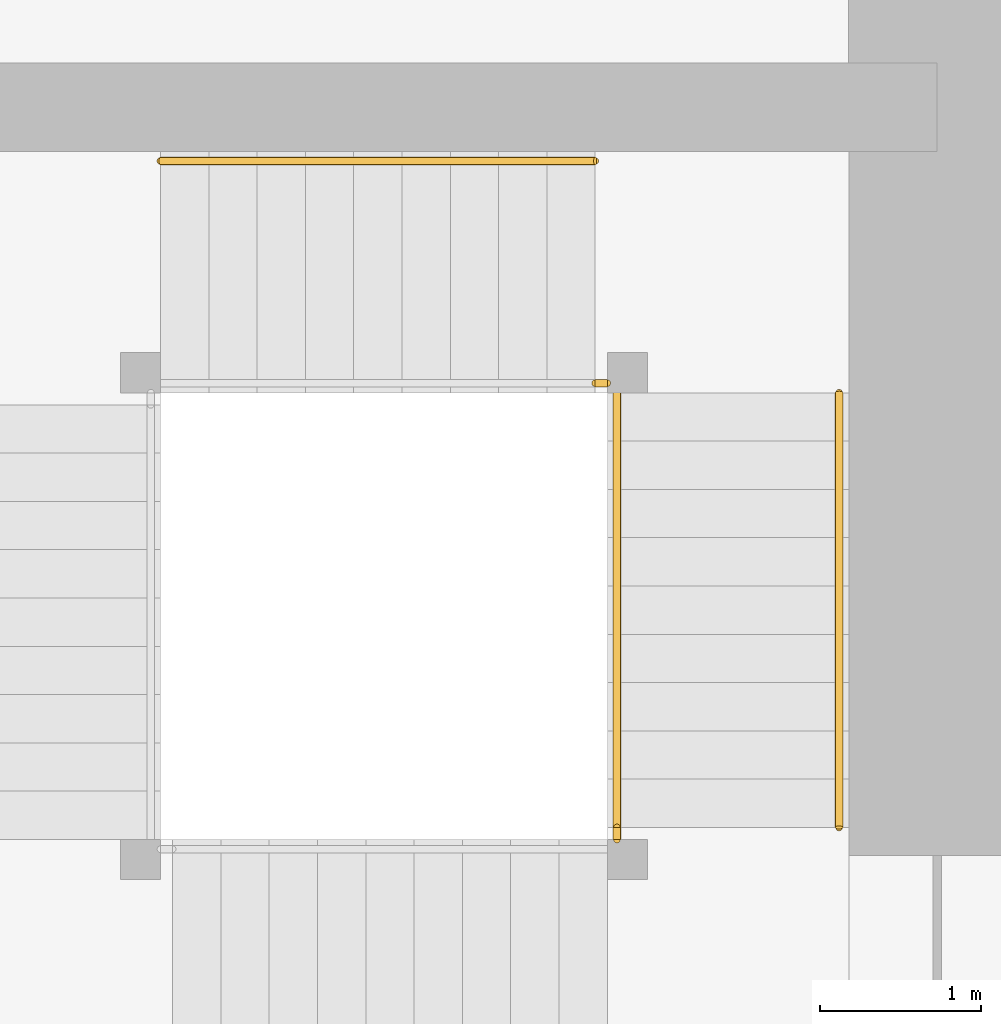
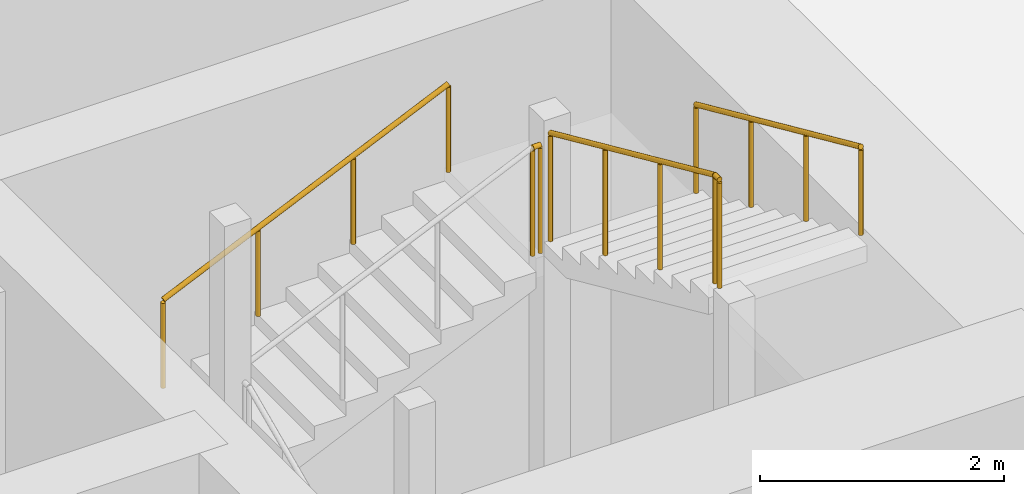
# One storey, part 16 of 20: 5 railings.
"""IFC4 building model written with IfcOpenShell, lengths in metres."""

from ifc_helpers import new_model, si_unit, direction, frame, origin, origin_2d, place, context, subcontext, project, spatial, circle, extrude, material, type_object, element, save


model = new_model("IFC4")

# Units and contexts
model_context = context("Model", 3, precision=1e-05, world=origin(), true_north=direction((0.0, 1.0)))
body_context = subcontext(model_context, "Body", "Model", "MODEL_VIEW")
ifc_project = project(units=[si_unit("LENGTHUNIT", "METRE"), si_unit("AREAUNIT", "SQUARE_METRE"), si_unit("VOLUMEUNIT", "CUBIC_METRE"), si_unit("PLANEANGLEUNIT", "RADIAN"), si_unit("MASSUNIT", "GRAM", prefix="KILO")], contexts=[model_context])

# Site, building, storey
site_placement = place(None, origin())
site = spatial("IfcSite", under=ifc_project, at=site_placement, CompositionType="ELEMENT")
building_placement = place(site_placement, origin())
building = spatial("IfcBuilding", under=site, at=building_placement, Name="Rekha Terrace Tower", CompositionType="ELEMENT")
storey_placement = place(building_placement, frame((0.0, 0.0, -5.39990234375)))
storey = spatial("IfcBuildingStorey", under=building, at=storey_placement, Name="B-01", CompositionType="ELEMENT", Elevation=-5.39990234375)

# Railings
ifc_material_1 = material(Name="Stainless steel balustrade", Category="steel")
railing_type_1 = type_object("IfcRailingType", Name="GR1 1100 stair guard", PredefinedType="GUARDRAIL", material=ifc_material_1)
railing_1_placement = place(storey_placement, frame((48.409912109375, 25.824951171875, 4.184814453125)))
element("IfcRailing", 1, at=railing_1_placement, inside=storey, type_object=railing_type_1, Name="Guard ST3 B-01 flight 4", PredefinedType="GUARDRAIL", context=body_context, shape_type="SweptSolid", body=[
    extrude(circle(Radius=0.02392578125, at=origin_2d()), frame((0.0, 0.0, 1.076171875), z_axis=(0.0, -0.911907618724, 0.410395534713), x_axis=(1.0, 0.0, 0.0)), (0.0, 0.0, 1.0), 2.960693359375),
    extrude(circle(Radius=0.02099609375, at=origin_2d()), origin(), (0.0, 0.0, 1.0), 1.052001953125),
    extrude(circle(Radius=0.02099609375, at=origin_2d()), frame((0.0, -0.89990234375, 0.405029296875)), (0.0, 0.0, 1.0), 1.052001953125),
    extrude(circle(Radius=0.02099609375, at=origin_2d()), frame((0.0, -1.800048828125, 0.81005859375)), (0.0, 0.0, 1.0), 1.052001953125),
    extrude(circle(Radius=0.02099609375, at=origin_2d()), frame((0.0, -2.699951171875, 1.215087890625)), (0.0, 0.0, 1.0), 1.052001953125),
])
railing_2_placement = place(storey_placement, frame((48.35009765625, 25.885009765625, 4.0498046875)))
element("IfcRailing", 2, at=railing_2_placement, inside=storey, type_object=railing_type_1, Name="Guard ST3 B-01 landing 3", PredefinedType="GUARDRAIL", context=body_context, shape_type="SweptSolid", body=[
    extrude(circle(Radius=0.02392578125, at=origin_2d()), frame((0.0, 0.0, 1.076171875), z_axis=(-1.0, 0.0, 0.0), x_axis=(0.0, -1.0, 0.0)), (0.0, 0.0, 1.0), 0.0751953125),
    extrude(circle(Radius=0.02099609375, at=origin_2d()), origin(), (0.0, 0.0, 1.0), 1.052001953125),
    extrude(circle(Radius=0.02099609375, at=origin_2d()), frame((-0.0751953125, 0.0, 0.0)), (0.0, 0.0, 1.0), 1.052001953125),
])
railing_3_placement = place(storey_placement, frame((48.409912109375, 23.050048828125, 5.39990234375)))
element("IfcRailing", 3, at=railing_3_placement, inside=storey, type_object=railing_type_1, Name="Guard ST3 B-01 landing 4", PredefinedType="GUARDRAIL", context=body_context, shape_type="SweptSolid", body=[
    extrude(circle(Radius=0.02392578125, at=origin_2d()), frame((0.0, 0.0, 1.076171875), z_axis=(0.0, 1.0, 0.0), x_axis=(-1.0, 0.0, 0.0)), (0.0, 0.0, 1.0), 0.074951171875),
    extrude(circle(Radius=0.02099609375, at=origin_2d()), origin(), (0.0, 0.0, 1.0), 1.052001953125),
    extrude(circle(Radius=0.02099609375, at=origin_2d()), frame((0.0, 0.074951171875, 0.0)), (0.0, 0.0, 1.0), 1.052001953125),
])
ifc_material_2 = material(Name="Stainless steel tube", Category="steel")
railing_type_2 = type_object("IfcRailingType", Name="HR1 900 stair handrail", PredefinedType="HANDRAIL", material=ifc_material_2)
railing_4_placement = place(storey_placement, frame((45.574951171875, 27.264892578125, 2.8349609375)))
element("IfcRailing", 4, at=railing_4_placement, inside=storey, type_object=railing_type_2, Name="Handrail ST3 B-01 flight 3", PredefinedType="HANDRAIL", context=body_context, shape_type="SweptSolid", body=[
    extrude(circle(Radius=0.02392578125, at=origin_2d()), frame((0.0, 0.0, 0.8759765625), z_axis=(0.91193847666, 0.0, 0.410326960834), x_axis=(0.0, 1.0, 0.0)), (0.0, 0.0, 1.0), 2.960693359375),
    extrude(circle(Radius=0.02099609375, at=origin_2d()), origin(), (0.0, 0.0, 1.0), 0.851806640625),
    extrude(circle(Radius=0.02099609375, at=origin_2d()), frame((0.89990234375, 0.0, 0.405029296875)), (0.0, 0.0, 1.0), 0.851806640625),
    extrude(circle(Radius=0.02099609375, at=origin_2d()), frame((1.800048828125, 0.0, 0.809814453125)), (0.0, 0.0, 1.0), 0.851806640625),
    extrude(circle(Radius=0.02099609375, at=origin_2d()), frame((2.699951171875, 0.0, 1.21484375)), (0.0, 0.0, 1.0), 0.851806640625),
])
railing_5_placement = place(storey_placement, frame((49.7900390625, 25.824951171875, 4.184814453125)))
element("IfcRailing", 5, at=railing_5_placement, inside=storey, type_object=railing_type_2, Name="Handrail ST3 B-01 flight 4", PredefinedType="HANDRAIL", context=body_context, shape_type="SweptSolid", body=[
    extrude(circle(Radius=0.02392578125, at=origin_2d()), frame((0.0, 0.0, 0.8759765625), z_axis=(0.0, -0.911907618724, 0.410395534713), x_axis=(1.0, 0.0, 0.0)), (0.0, 0.0, 1.0), 2.960693359375),
    extrude(circle(Radius=0.02099609375, at=origin_2d()), origin(), (0.0, 0.0, 1.0), 0.851806640625),
    extrude(circle(Radius=0.02099609375, at=origin_2d()), frame((0.0, -0.89990234375, 0.405029296875)), (0.0, 0.0, 1.0), 0.851806640625),
    extrude(circle(Radius=0.02099609375, at=origin_2d()), frame((0.0, -1.800048828125, 0.81005859375)), (0.0, 0.0, 1.0), 0.851806640625),
    extrude(circle(Radius=0.02099609375, at=origin_2d()), frame((0.0, -2.699951171875, 1.215087890625)), (0.0, 0.0, 1.0), 0.851806640625),
])

save(model, "model.ifc")
